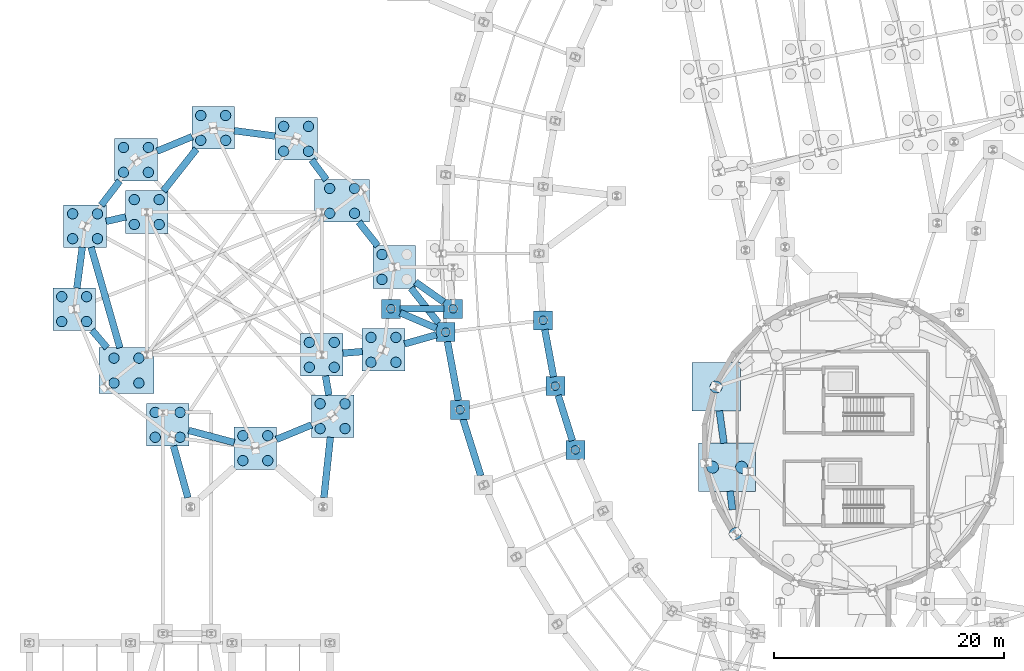
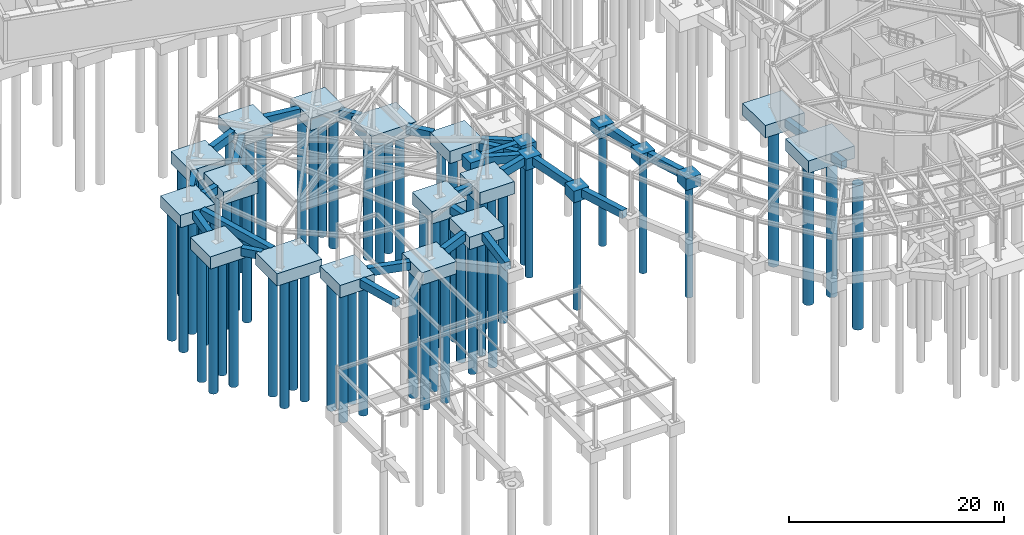
# One storey, part 2 of 50: 65 piles, 50 footings.
"""IFC4 building model written with IfcOpenShell, lengths in metres."""

from ifc_helpers import new_model, si_unit, direction, frame, origin, origin_2d, place, context, subcontext, project, spatial, rectangle, circle, extrude, material, material_profile, profile_set, type_object, element, save


model = new_model("IFC4")

# Units and contexts
model_context = context("Model", 3, precision=1e-05, world=origin(), true_north=direction((0.0, 1.0)))
body_context = subcontext(model_context, "Body", "Model", "MODEL_VIEW")
ifc_project = project(units=[si_unit("LENGTHUNIT", "METRE"), si_unit("AREAUNIT", "SQUARE_METRE"), si_unit("VOLUMEUNIT", "CUBIC_METRE"), si_unit("PLANEANGLEUNIT", "RADIAN"), si_unit("MASSUNIT", "GRAM", prefix="KILO")], contexts=[model_context])

# Site, building, storey
site_placement = place(None, origin())
site = spatial("IfcSite", under=ifc_project, at=site_placement, CompositionType="ELEMENT")
building_placement = place(site_placement, origin())
building = spatial("IfcBuilding", under=site, at=building_placement, Name="Varnklinge Art Gallery", CompositionType="ELEMENT")
storey_placement = place(building_placement, frame((0.0, 0.0, -4.800048828125)))
storey = spatial("IfcBuildingStorey", under=building, at=storey_placement, Name="B01", CompositionType="ELEMENT", Elevation=-4.800048828125)

# Footings
ifc_material_1 = material(Name="Concrete C35/45", Category="concrete")
footing_type_1 = type_object("IfcFootingType", Name="FB-08", PredefinedType="FOOTING_BEAM", material=ifc_material_1)
footing_1_placement = place(storey_placement, frame((33.430419921875, 56.698486328125, -0.89990234375), z_axis=(0.0, 0.0, 1.0), x_axis=(0.620463642292, -0.784235212544, 0.0)))
element("IfcFooting", 1, at=footing_1_placement, inside=storey, type_object=footing_type_1, Name="B01 Ground Tie Beam FBM-152", PredefinedType="FOOTING_BEAM", context=body_context, shape_type="SweptSolid", body=[
    extrude(rectangle(XDim=2.6484375, YDim=0.60009765625, at=origin_2d()), origin(), (0.0, 0.0, 1.0), 0.89990234375),
])
footing_2_placement = place(storey_placement, frame((11.055908203125, 60.243896484375, -0.89990234375), z_axis=(0.0, 0.0, 1.0), x_axis=(-0.608761429009, -0.793353340291, 0.0)))
element("IfcFooting", 2, at=footing_2_placement, inside=storey, type_object=footing_type_1, Name="B01 Ground Tie Beam FBM-159", PredefinedType="FOOTING_BEAM", context=body_context, shape_type="SweptSolid", body=[
    extrude(rectangle(XDim=2.644287109375, YDim=0.60009765625, at=origin_2d()), origin(), (0.0, 0.0, 1.0), 0.89990234375),
])
ifc_material_2 = material(Name="Concrete C35/45", Category="concrete")
footing_type_2 = type_object("IfcFootingType", Name="FB-09", PredefinedType="FOOTING_BEAM", material=ifc_material_2)
footing_3_placement = place(storey_placement, frame((37.779052734375, 49.18310546875, -0.89990234375), z_axis=(0.0, 0.0, 1.0), x_axis=(-0.9194787684, 0.393139662794, 0.0)))
element("IfcFooting", 3, at=footing_3_placement, inside=storey, type_object=footing_type_2, Name="B01 Ground Tie Beam FBM-118", PredefinedType="FOOTING_BEAM", context=body_context, shape_type="SweptSolid", body=[
    extrude(rectangle(XDim=3.423583984375, YDim=0.60009765625, at=origin_2d()), origin(), (0.0, 0.0, 1.0), 0.89990234375),
])
ifc_material_3 = material(Name="Concrete C35/45", Category="concrete")
footing_type_3 = type_object("IfcFootingType", Name="FB-12", PredefinedType="FOOTING_BEAM", material=ifc_material_3)
for number, where, z_axis, x_axis, name in (
    (4, (26.982421875, 39.488525390625, -0.89990234375), (0.0, 0.0, 1.0), (0.923879532511, 0.382683432365, 0.0), "B01 Ground Tie Beam FBM-100"),
    (5, (16.617431640625, 64.511474609375, -0.89990234375), (0.0, 0.0, 1.0), (0.923879532511, 0.382683432365, 0.0), "B01 Ground Tie Beam FBM-158"),
):
    element("IfcFooting", number, at=place(storey_placement, frame(where, z_axis=z_axis, x_axis=x_axis)), inside=storey, type_object=footing_type_3, Name=name, PredefinedType="FOOTING_BEAM", context=body_context, shape_type="SweptSolid", body=[
        extrude(rectangle(XDim=3.2958984375, YDim=0.60009765625, at=origin_2d()), origin(), (0.0, 0.0, 1.0), 0.89990234375),
    ])
ifc_material_4 = material(Name="Concrete C35/45", Category="concrete")
footing_type_4 = type_object("IfcFootingType", Name="FB-13", PredefinedType="FOOTING_BEAM", material=ifc_material_4)
footing_4_placement = place(storey_placement, frame((11.5234375, 57.982421875, -0.89990234375), z_axis=(0.0, 0.0, 1.0), x_axis=(0.97440931131, 0.224780991261, 0.0)))
element("IfcFooting", 6, at=footing_4_placement, inside=storey, type_object=footing_type_4, Name="B01 Ground Tie Beam FBM-140", PredefinedType="FOOTING_BEAM", context=body_context, shape_type="SweptSolid", body=[
    extrude(rectangle(XDim=1.737548828125, YDim=0.60009765625, at=origin_2d()), origin(), (0.0, 0.0, 1.0), 0.89990234375),
])
ifc_material_5 = material(Name="Concrete C35/45", Category="concrete")
footing_type_5 = type_object("IfcFootingType", Name="FB-14", PredefinedType="FOOTING_BEAM", material=ifc_material_5)
footing_5_placement = place(storey_placement, frame((50.5380859375, 40.716552734375, -0.89990234375), z_axis=(0.0, 0.0, 1.0), x_axis=(-0.299873410064, 0.953979002881, 0.0)))
element("IfcFooting", 7, at=footing_5_placement, inside=storey, type_object=footing_type_5, Name="B01 Ground Tie Beam FBM-098", PredefinedType="FOOTING_BEAM", context=body_context, shape_type="SweptSolid", body=[
    extrude(rectangle(XDim=4.122802734375, YDim=0.60009765625, at=origin_2d()), origin(), (0.0, 0.0, 1.0), 0.89990234375),
])
footing_6_placement = place(storey_placement, frame((49.139404296875, 46.344482421875, -0.89990234375), z_axis=(0.0, 0.0, 1.0), x_axis=(-0.181549039717, 0.983381892338, 0.0)))
element("IfcFooting", 8, at=footing_6_placement, inside=storey, type_object=footing_type_5, Name="B01 Ground Tie Beam FBM-112", PredefinedType="FOOTING_BEAM", context=body_context, shape_type="SweptSolid", body=[
    extrude(rectangle(XDim=4.17236328125, YDim=0.60009765625, at=origin_2d()), origin(), (0.0, 0.0, 1.0), 0.89990234375),
])
ifc_material_6 = material(Name="Concrete C35/45", Category="concrete")
footing_type_6 = type_object("IfcFootingType", Name="FB-15", PredefinedType="FOOTING_BEAM", material=ifc_material_6)
footing_7_placement = place(storey_placement, frame((64.10888671875, 39.930908203125, -1.199951171875), z_axis=(0.0, 0.0, 1.0), x_axis=(-0.136753006543, 0.990605176244, 0.0)))
element("IfcFooting", 9, at=footing_7_placement, inside=storey, type_object=footing_type_6, Name="B01 Ground Tie Beam FBM-096", PredefinedType="FOOTING_BEAM", context=body_context, shape_type="SweptSolid", body=[
    extrude(rectangle(XDim=2.838623046875, YDim=0.60009765625, at=origin_2d()), origin(), (0.0, 0.0, 1.0), 0.89990234375),
])
footing_8_placement = place(storey_placement, frame((37.968017578125, 47.545654296875, -0.89990234375), z_axis=(0.0, 0.0, 1.0), x_axis=(0.962122891174, 0.272616107888, 0.0)))
element("IfcFooting", 10, at=footing_8_placement, inside=storey, type_object=footing_type_6, Name="B01 Ground Tie Beam FBM-117", PredefinedType="FOOTING_BEAM", context=body_context, shape_type="SweptSolid", body=[
    extrude(rectangle(XDim=2.87890625, YDim=0.60009765625, at=origin_2d()), origin(), (0.0, 0.0, 1.0), 0.89990234375),
])
ifc_material_7 = material(Name="Concrete C35/45", Category="concrete")
footing_type_7 = type_object("IfcFootingType", Name="FB-19", PredefinedType="FOOTING_BEAM", material=ifc_material_7)
footing_9_placement = place(storey_placement, frame((38.10009765625, 50.199951171875, -0.89990234375), z_axis=(0.0, 0.0, 1.0), x_axis=(1.0, 0.0, 0.0)))
element("IfcFooting", 11, at=footing_9_placement, inside=storey, type_object=footing_type_7, Name="B01 Ground Tie Beam FBM-126", PredefinedType="FOOTING_BEAM", context=body_context, shape_type="SweptSolid", body=[
    extrude(rectangle(XDim=3.7900390625, YDim=0.60009765625, at=origin_2d()), origin(), (0.0, 0.0, 1.0), 0.89990234375),
])
footing_10_placement = place(storey_placement, frame((38.33203125, 50.486083984375, -0.89990234375), z_axis=(0.0, 0.0, 1.0), x_axis=(0.61854554384, -0.78574894858, 0.0)))
element("IfcFooting", 12, at=footing_10_placement, inside=storey, type_object=footing_type_7, Name="B01 Ground Tie Beam FBM-131", PredefinedType="FOOTING_BEAM", context=body_context, shape_type="SweptSolid", body=[
    extrude(rectangle(XDim=3.853515625, YDim=0.60009765625, at=origin_2d()), origin(), (0.0, 0.0, 1.0), 0.89990234375),
])
ifc_material_8 = material(Name="Concrete C35/45", Category="concrete")
footing_type_8 = type_object("IfcFootingType", Name="FB-20", PredefinedType="FOOTING_BEAM", material=ifc_material_8)
footing_11_placement = place(storey_placement, frame((10.105712890625, 47.576416015625, -0.89990234375), z_axis=(0.0, 0.0, 1.0), x_axis=(-0.647854034566, 0.761764497661, 0.0)))
element("IfcFooting", 13, at=footing_11_placement, inside=storey, type_object=footing_type_8, Name="B01 Ground Tie Beam FBM-110", PredefinedType="FOOTING_BEAM", context=body_context, shape_type="SweptSolid", body=[
    extrude(rectangle(XDim=2.004638671875, YDim=0.60009765625, at=origin_2d()), origin(), (0.0, 0.0, 1.0), 0.89990234375),
])
ifc_material_9 = material(Name="Concrete C35/45", Category="concrete")
footing_type_9 = type_object("IfcFootingType", Name="FB-22", PredefinedType="FOOTING_BEAM", material=ifc_material_9)
footing_12_placement = place(storey_placement, frame((42.427978515625, 38.16845703125, -0.89990234375), z_axis=(0.0, 0.0, 1.0), x_axis=(-0.299706904751, 0.954031326134, 0.0)))
element("IfcFooting", 14, at=footing_12_placement, inside=storey, type_object=footing_type_9, Name="B01 Ground Tie Beam FBM-091", PredefinedType="FOOTING_BEAM", context=body_context, shape_type="SweptSolid", body=[
    extrude(rectangle(XDim=5.158203125, YDim=0.60009765625, at=origin_2d()), origin(), (0.0, 0.0, 1.0), 0.89990234375),
])
footing_13_placement = place(storey_placement, frame((40.780029296875, 44.800048828125, -0.89990234375), z_axis=(0.0, 0.0, 1.0), x_axis=(-0.18172066947, 0.983350191075, 0.0)))
element("IfcFooting", 15, at=footing_13_placement, inside=storey, type_object=footing_type_9, Name="B01 Ground Tie Beam FBM-106", PredefinedType="FOOTING_BEAM", context=body_context, shape_type="SweptSolid", body=[
    extrude(rectangle(XDim=5.208740234375, YDim=0.60009765625, at=origin_2d()), origin(), (0.0, 0.0, 1.0), 0.89990234375),
])
footing_14_placement = place(storey_placement, frame((29.86328125, 36.426025390625, -0.89990234375), z_axis=(0.0, 0.0, 1.0), x_axis=(0.105396307434, 0.994430298402, 0.0)))
element("IfcFooting", 16, at=footing_14_placement, inside=storey, type_object=footing_type_9, Name="B01 Ground Tie Beam FBM-265", PredefinedType="FOOTING_BEAM", context=body_context, shape_type="SweptSolid", body=[
    extrude(rectangle(XDim=5.271484375, YDim=0.60009765625, at=origin_2d()), origin(), (0.0, 0.0, 1.0), 0.89990234375),
])
ifc_material_10 = material(Name="Concrete C35/45", Category="concrete")
footing_type_10 = type_object("IfcFootingType", Name="FB-24", PredefinedType="FOOTING_BEAM", material=ifc_material_10)
footing_15_placement = place(storey_placement, frame((64.947509765625, 33.56103515625, -1.199951171875), z_axis=(0.0, 0.0, 1.0), x_axis=(-0.123081876034, 0.992396519438, 0.0)))
element("IfcFooting", 17, at=footing_15_placement, inside=storey, type_object=footing_type_10, Name="B01 Ground Tie Beam FBM-082", PredefinedType="FOOTING_BEAM", context=body_context, shape_type="SweptSolid", body=[
    extrude(rectangle(XDim=1.620361328125, YDim=0.60009765625, at=origin_2d()), origin(), (0.0, 0.0, 1.0), 0.89990234375),
])
footing_16_placement = place(storey_placement, frame((29.867431640625, 43.53857421875, -0.89990234375), z_axis=(0.0, 0.0, 1.0), x_axis=(-0.172960609894, 0.984928742308, 0.0)))
element("IfcFooting", 18, at=footing_16_placement, inside=storey, type_object=footing_type_10, Name="B01 Ground Tie Beam FBM-105", PredefinedType="FOOTING_BEAM", context=body_context, shape_type="SweptSolid", body=[
    extrude(rectangle(XDim=1.6884765625, YDim=0.60009765625, at=origin_2d()), origin(), (0.0, 0.0, 1.0), 0.89990234375),
])
footing_17_placement = place(storey_placement, frame((32.076416015625, 46.41748046875, -0.89990234375), z_axis=(0.0, 0.0, 1.0), x_axis=(0.996708512156, 0.081068747348, 0.0)))
element("IfcFooting", 19, at=footing_17_placement, inside=storey, type_object=footing_type_10, Name="B01 Ground Tie Beam FBM-115", PredefinedType="FOOTING_BEAM", context=body_context, shape_type="SweptSolid", body=[
    extrude(rectangle(XDim=1.698486328125, YDim=0.60009765625, at=origin_2d()), origin(), (0.0, 0.0, 1.0), 0.89990234375),
])
ifc_material_11 = material(Name="Concrete C35/45", Category="concrete")
footing_type_11 = type_object("IfcFootingType", Name="FB-29", PredefinedType="FOOTING_BEAM", material=ifc_material_11)
for number, where, z_axis, x_axis, name in (
    (20, (8.37353515625, 53.767578125, -0.89990234375), (0.0, 0.0, 1.0), (0.13052619222, 0.991444861374, 0.0), "B01 Ground Tie Beam FBM-125"),
    (21, (23.5673828125, 65.426513671875, -0.89990234375), (0.0, 0.0, 1.0), (-0.991444861374, 0.13052619222, 0.0), "B01 Ground Tie Beam FBM-164"),
):
    element("IfcFooting", number, at=place(storey_placement, frame(where, z_axis=z_axis, x_axis=x_axis)), inside=storey, type_object=footing_type_11, Name=name, PredefinedType="FOOTING_BEAM", context=body_context, shape_type="SweptSolid", body=[
        extrude(rectangle(XDim=3.5654296875, YDim=0.60009765625, at=origin_2d()), origin(), (0.0, 0.0, 1.0), 0.89990234375),
    ])
ifc_material_12 = material(Name="Concrete C35/45", Category="concrete")
footing_type_12 = type_object("IfcFootingType", Name="FB-31", PredefinedType="FOOTING_BEAM", material=ifc_material_12)
footing_18_placement = place(storey_placement, frame((19.823486328125, 39.112060546875, -0.89990234375), z_axis=(0.0, 0.0, 1.0), x_axis=(0.966420942741, -0.256964124795, 0.0)))
element("IfcFooting", 22, at=footing_18_placement, inside=storey, type_object=footing_type_12, Name="B01 Ground Tie Beam FBM-103", PredefinedType="FOOTING_BEAM", context=body_context, shape_type="SweptSolid", body=[
    extrude(rectangle(XDim=4.09033203125, YDim=0.60009765625, at=origin_2d()), origin(), (0.0, 0.0, 1.0), 0.89990234375),
])
ifc_material_13 = material(Name="Concrete C35/45", Category="concrete")
footing_type_13 = type_object("IfcFootingType", Name="FB-32", PredefinedType="FOOTING_BEAM", material=ifc_material_13)
footing_19_placement = place(storey_placement, frame((29.1630859375, 62.260009765625, -0.89990234375), z_axis=(0.0, 0.0, 1.0), x_axis=(-0.595804439009, 0.803129547743, 0.0)))
element("IfcFooting", 23, at=footing_19_placement, inside=storey, type_object=footing_type_13, Name="B01 Ground Tie Beam FBM-151", PredefinedType="FOOTING_BEAM", context=body_context, shape_type="SweptSolid", body=[
    extrude(rectangle(XDim=2.149169921875, YDim=0.60009765625, at=origin_2d()), origin(), (0.0, 0.0, 1.0), 0.89990234375),
])
ifc_material_14 = material(Name="Concrete C35/45", Category="concrete")
footing_type_14 = type_object("IfcFootingType", Name="FB-33", PredefinedType="FOOTING_BEAM", material=ifc_material_14)
footing_20_placement = place(storey_placement, frame((38.762451171875, 51.650146484375, -0.89990234375), z_axis=(0.0, 0.0, 1.0), x_axis=(0.81472318257, -0.579850097684, 0.0)))
element("IfcFooting", 24, at=footing_20_placement, inside=storey, type_object=footing_type_14, Name="B01 Ground Tie Beam FBM-130", PredefinedType="FOOTING_BEAM", context=body_context, shape_type="SweptSolid", body=[
    extrude(rectangle(XDim=3.025634765625, YDim=0.60009765625, at=origin_2d()), origin(), (0.0, 0.0, 1.0), 0.89990234375),
])
ifc_material_15 = material(Name="Concrete C35/45", Category="concrete")
footing_type_15 = type_object("IfcFootingType", Name="FB-38", PredefinedType="FOOTING_BEAM", material=ifc_material_15)
footing_21_placement = place(storey_placement, frame((17.151123046875, 36.049560546875, -0.89990234375), z_axis=(0.0, 0.0, 1.0), x_axis=(0.268079200424, -0.963396876837, 0.0)))
element("IfcFooting", 25, at=footing_21_placement, inside=storey, type_object=footing_type_15, Name="B01 Ground Tie Beam FBM-102", PredefinedType="FOOTING_BEAM", context=body_context, shape_type="SweptSolid", body=[
    extrude(rectangle(XDim=4.65966796875, YDim=0.60009765625, at=origin_2d()), origin(), (0.0, 0.0, 1.0), 0.89990234375),
])
footing_22_placement = place(storey_placement, frame((17.0849609375, 62.25, -0.89990234375), z_axis=(0.0, 0.0, 1.0), x_axis=(0.620052932662, 0.784559979031, 0.0)))
element("IfcFooting", 26, at=footing_22_placement, inside=storey, type_object=footing_type_15, Name="B01 Ground Tie Beam FBM-150", PredefinedType="FOOTING_BEAM", context=body_context, shape_type="SweptSolid", body=[
    extrude(rectangle(XDim=4.639892578125, YDim=0.60009765625, at=origin_2d()), origin(), (0.0, 0.0, 1.0), 0.89990234375),
])
ifc_material_16 = material(Name="Concrete C35/45", Category="concrete")
footing_type_16 = type_object("IfcFootingType", Name="FB-39", PredefinedType="FOOTING_BEAM", material=ifc_material_16)
footing_23_placement = place(storey_placement, frame((10.62158203125, 51.174072265625, -0.89990234375), z_axis=(0.0, 0.0, 1.0), x_axis=(-0.275469579804, 0.961309789091, 0.0)))
element("IfcFooting", 27, at=footing_23_placement, inside=storey, type_object=footing_type_16, Name="B01 Ground Tie Beam FBM-111", PredefinedType="FOOTING_BEAM", context=body_context, shape_type="SweptSolid", body=[
    extrude(rectangle(XDim=9.0732421875, YDim=0.60009765625, at=origin_2d()), origin(), (0.0, 0.0, 1.0), 0.89990234375),
])
ifc_material_17 = material(Name="Concrete C35/45", Category="concrete")
footing_type_17 = type_object("IfcFootingType", Name="PC-01", PredefinedType="PILE_CAP", material=ifc_material_17)
for number, where, z_axis, x_axis, name in (
    (28, (51.408935546875, 37.945068359375, -1.2998046875), (0.0, 0.0, 1.0), (1.0, 0.0, 0.0), "B01 Pile Cap FCAP-073"),
    (29, (41.402099609375, 41.43408203125, -1.2998046875), (0.0, 0.0, 1.0), (1.0, 0.0, 0.0), "B01 Pile Cap FCAP-080"),
    (30, (49.6669921875, 43.488037109375, -1.2998046875), (0.0, 0.0, 1.0), (1.0, 0.0, 0.0), "B01 Pile Cap FCAP-085"),
):
    element("IfcFooting", number, at=place(storey_placement, frame(where, z_axis=z_axis, x_axis=x_axis)), inside=storey, type_object=footing_type_17, Name=name, PredefinedType="PILE_CAP", context=body_context, shape_type="SweptSolid", body=[
        extrude(rectangle(XDim=1.64990234375, YDim=1.64990234375, at=origin_2d()), origin(), (0.0, 0.0, 1.0), 1.300048828125),
    ])
footing_24_placement = place(storey_placement, frame((40.157958984375, 48.166015625, -1.2998046875), z_axis=(0.0, 0.0, 1.0), x_axis=(1.0, 0.0, 0.0)))
element("IfcFooting", 31, at=footing_24_placement, inside=storey, type_object=footing_type_17, Name="B01 Pile Cap FCAP-091", PredefinedType="PILE_CAP", context=body_context, shape_type="SweptSolid", body=[
    extrude(rectangle(XDim=1.64990234375, YDim=1.65087890625, at=origin_2d()), origin(), (0.0, 0.0, 1.0), 1.300048828125),
])
for number, where, z_axis, x_axis, name in (
    (32, (48.612060546875, 49.200927734375, -1.2998046875), (0.0, 0.0, 1.0), (1.0, 0.0, 0.0), "B01 Pile Cap FCAP-094"),
    (33, (35.39990234375, 50.199951171875, -1.2998046875), (0.0, 0.0, 1.0), (1.0, 0.0, 0.0), "B01 Pile Cap FCAP-098"),
    (34, (40.800048828125, 50.199951171875, -1.2998046875), (0.0, 0.0, 1.0), (1.0, 0.0, 0.0), "B01 Pile Cap FCAP-099"),
):
    element("IfcFooting", number, at=place(storey_placement, frame(where, z_axis=z_axis, x_axis=x_axis)), inside=storey, type_object=footing_type_17, Name=name, PredefinedType="PILE_CAP", context=body_context, shape_type="SweptSolid", body=[
        extrude(rectangle(XDim=1.64990234375, YDim=1.64990234375, at=origin_2d()), origin(), (0.0, 0.0, 1.0), 1.300048828125),
    ])
ifc_material_18 = material(Name="Concrete C35/45", Category="concrete")
footing_type_18 = type_object("IfcFootingType", Name="PC-02", PredefinedType="PILE_CAP", material=ifc_material_18)
for number, where, z_axis, x_axis, name in (
    (35, (23.6298828125, 38.10009765625, -1.39990234375), (0.0, 0.0, 1.0), (1.0, 0.0, 0.0), "B01 Pile Cap FCAP-075"),
    (36, (16.01708984375, 40.1240234375, -1.39990234375), (0.0, 0.0, 1.0), (1.0, 0.0, 0.0), "B01 Pile Cap FCAP-077"),
    (37, (30.3349609375, 40.876953125, -1.39990234375), (0.0, 0.0, 1.0), (1.0, 0.0, 0.0), "B01 Pile Cap FCAP-079"),
    (38, (29.39990234375, 46.199951171875, -1.39990234375), (0.0, 0.0, 1.0), (1.0, 0.0, 0.0), "B01 Pile Cap FCAP-088"),
    (39, (34.7529296875, 46.635009765625, -1.39990234375), (0.0, 0.0, 1.0), (1.0, 0.0, 0.0), "B01 Pile Cap FCAP-090"),
    (40, (7.89990234375, 50.169921875, -1.39990234375), (0.0, 0.0, 1.0), (1.0, 0.0, 0.0), "B01 Pile Cap FCAP-097"),
    (41, (35.699951171875, 53.830078125, -1.39990234375), (0.0, 0.0, 1.0), (1.0, 0.0, 0.0), "B01 Pile Cap FCAP-102"),
    (42, (8.846923828125, 57.364990234375, -1.39990234375), (0.0, 0.0, 1.0), (1.0, 0.0, 0.0), "B01 Pile Cap FCAP-110"),
    (43, (14.199951171875, 58.60009765625, -1.39990234375), (0.0, 0.0, 1.0), (1.0, 0.0, 0.0), "B01 Pile Cap FCAP-116"),
    (44, (13.264892578125, 63.123046875, -1.39990234375), (0.0, 0.0, 1.0), (1.0, 0.0, 0.0), "B01 Pile Cap FCAP-124"),
    (45, (27.1650390625, 64.952880859375, -1.39990234375), (0.0, 0.0, 1.0), (1.0, 0.0, 0.0), "B01 Pile Cap FCAP-128"),
    (46, (19.969970703125, 65.89990234375, -1.39990234375), (0.0, 0.0, 1.0), (1.0, 0.0, 0.0), "B01 Pile Cap FCAP-130"),
):
    element("IfcFooting", number, at=place(storey_placement, frame(where, z_axis=z_axis, x_axis=x_axis)), inside=storey, type_object=footing_type_18, Name=name, PredefinedType="PILE_CAP", context=body_context, shape_type="SweptSolid", body=[
        extrude(rectangle(XDim=3.699951171875, YDim=3.699951171875, at=origin_2d()), origin(), (0.0, 0.0, 1.0), 1.39990234375),
    ])
ifc_material_19 = material(Name="Concrete C35/45", Category="concrete")
footing_type_19 = type_object("IfcFootingType", Name="PC-05", PredefinedType="PILE_CAP", material=ifc_material_19)
footing_25_placement = place(storey_placement, frame((63.6279296875, 43.4169921875, -1.699951171875), z_axis=(0.0, 0.0, 1.0), x_axis=(1.0, 0.0, 0.0)))
element("IfcFooting", 47, at=footing_25_placement, inside=storey, type_object=footing_type_19, Name="B01 Pile Cap FCAP-083", PredefinedType="PILE_CAP", context=body_context, shape_type="SweptSolid", body=[
    extrude(rectangle(XDim=4.199951171875, YDim=4.199951171875, at=origin_2d()), origin(), (0.0, 0.0, 1.0), 1.39990234375),
])
ifc_material_20 = material(Name="Concrete C35/45", Category="concrete")
footing_type_20 = type_object("IfcFootingType", Name="PC-09", PredefinedType="PILE_CAP", material=ifc_material_20)
footing_26_placement = place(storey_placement, frame((64.590087890625, 36.445068359375, -1.699951171875), z_axis=(0.0, 0.0, 1.0), x_axis=(1.0, 0.0, 0.0)))
element("IfcFooting", 48, at=footing_26_placement, inside=storey, type_object=footing_type_20, Name="B01 Pile Cap FCAP-071", PredefinedType="PILE_CAP", context=body_context, shape_type="SweptSolid", body=[
    extrude(rectangle(XDim=4.949951171875, YDim=4.199951171875, at=origin_2d()), origin(), (0.0, 0.0, 1.0), 1.39990234375),
])
ifc_material_21 = material(Name="Concrete C35/45", Category="concrete")
footing_type_21 = type_object("IfcFootingType", Name="PC-10", PredefinedType="PILE_CAP", material=ifc_material_21)
footing_27_placement = place(storey_placement, frame((12.43896484375, 44.8330078125, -1.39990234375), z_axis=(0.0, 0.0, 1.0), x_axis=(1.0, 0.0, 0.0)))
element("IfcFooting", 49, at=footing_27_placement, inside=storey, type_object=footing_type_21, Name="B01 Pile Cap FCAP-084", PredefinedType="PILE_CAP", context=body_context, shape_type="SweptSolid", body=[
    extrude(rectangle(XDim=4.800048828125, YDim=4.0, at=origin_2d()), origin(), (0.0, 0.0, 1.0), 1.39990234375),
])
ifc_material_22 = material(Name="Concrete C35/45", Category="concrete")
footing_type_22 = type_object("IfcFootingType", Name="PC-13", PredefinedType="PILE_CAP", material=ifc_material_22)
footing_28_placement = place(storey_placement, frame((31.160888671875, 59.56689453125, -1.39990234375), z_axis=(0.0, 0.0, 1.0), x_axis=(1.0, 0.0, 0.0)))
element("IfcFooting", 50, at=footing_28_placement, inside=storey, type_object=footing_type_22, Name="B01 Pile Cap FCAP-117", PredefinedType="PILE_CAP", context=body_context, shape_type="SweptSolid", body=[
    extrude(rectangle(XDim=4.800048828125, YDim=3.699951171875, at=origin_2d()), origin(), (0.0, 0.0, 1.0), 1.39990234375),
])

# Piles
ifc_material_23 = material(Name="Concrete C35/45", Category="concrete")
ifc_material_profile_1 = material_profile(ifc_material_23, circle(Radius=0.52490234375, at=origin_2d()), Name="PILE D1050")
ifc_profile_set_1 = profile_set([ifc_material_profile_1], Name="Concrete C35/45")
pile_type_1 = type_object("IfcPileType", Name="PIL-D1050", PredefinedType="BORED", material=ifc_profile_set_1)
for number, where, z_axis, x_axis, name in (
    (51, (65.304931640625, 30.677001953125, -1.599853515625), (0.0, 0.0, -1.0), (1.0, 0.0, 0.0), "B01 Bored Pile PILE-D1050-085"),
    (52, (63.330078125, 36.445068359375, -1.599853515625), (0.0, 0.0, -1.0), (1.0, 0.0, 0.0), "B01 Bored Pile PILE-D1050-098"),
    (53, (65.85009765625, 36.445068359375, -1.599853515625), (0.0, 0.0, -1.0), (1.0, 0.0, 0.0), "B01 Bored Pile PILE-D1050-099"),
    (54, (63.6279296875, 43.4169921875, -1.599853515625), (0.0, 0.0, -1.0), (1.0, 0.0, 0.0), "B01 Bored Pile PILE-D1050-125"),
):
    element("IfcPile", number, at=place(storey_placement, frame(where, z_axis=z_axis, x_axis=x_axis)), inside=storey, type_object=pile_type_1, Name=name, PredefinedType="BORED", context=body_context, shape_type="SweptSolid", body=[
        extrude(circle(Radius=0.52490234375, at=origin_2d()), origin(), (0.0, 0.0, 1.0), 16.39990234375),
    ])
ifc_material_24 = material(Name="Concrete C35/45", Category="concrete")
ifc_material_profile_2 = material_profile(ifc_material_24, circle(Radius=0.375, at=origin_2d()), Name="PILE D750")
ifc_profile_set_2 = profile_set([ifc_material_profile_2], Name="Concrete C35/45")
pile_type_2 = type_object("IfcPileType", Name="PIL-D750", PredefinedType="BORED", material=ifc_profile_set_2)
for number, where, z_axis, x_axis, name in (
    (55, (51.408935546875, 37.945068359375, -1.199951171875), (0.0, 0.0, -1.0), (1.0, 0.0, 0.0), "B01 Bored Pile PILE-D750-102"),
    (56, (41.402099609375, 41.43408203125, -1.199951171875), (0.0, 0.0, -1.0), (1.0, 0.0, 0.0), "B01 Bored Pile PILE-D750-119"),
    (57, (49.6669921875, 43.488037109375, -1.199951171875), (0.0, 0.0, -1.0), (1.0, 0.0, 0.0), "B01 Bored Pile PILE-D750-130"),
    (58, (40.157958984375, 48.166015625, -1.199951171875), (0.0, 0.0, -1.0), (1.0, 0.0, 0.0), "B01 Bored Pile PILE-D750-143"),
    (59, (48.612060546875, 49.200927734375, -1.199951171875), (0.0, 0.0, -1.0), (1.0, 0.0, 0.0), "B01 Bored Pile PILE-D750-147"),
    (60, (35.39990234375, 50.199951171875, -1.199951171875), (0.0, 0.0, -1.0), (1.0, 0.0, 0.0), "B01 Bored Pile PILE-D750-154"),
    (61, (40.800048828125, 50.199951171875, -1.199951171875), (0.0, 0.0, -1.0), (1.0, 0.0, 0.0), "B01 Bored Pile PILE-D750-155"),
):
    element("IfcPile", number, at=place(storey_placement, frame(where, z_axis=z_axis, x_axis=x_axis)), inside=storey, type_object=pile_type_2, Name=name, PredefinedType="BORED", context=body_context, shape_type="SweptSolid", body=[
        extrude(circle(Radius=0.375, at=origin_2d()), origin(), (0.0, 0.0, 1.0), 12.800048828125),
    ])
ifc_material_25 = material(Name="Concrete C35/45", Category="concrete")
ifc_material_profile_3 = material_profile(ifc_material_25, circle(Radius=0.449951171875, at=origin_2d()), Name="PILE D900")
ifc_profile_set_3 = profile_set([ifc_material_profile_3], Name="Concrete C35/45")
pile_type_3 = type_object("IfcPileType", Name="PIL-D900", PredefinedType="BORED", material=ifc_profile_set_3)
for number, where, z_axis, x_axis, name in (
    (62, (22.550048828125, 37.02001953125, -1.300048828125), (0.0, 0.0, -1.0), (1.0, 0.0, 0.0), "B01 Bored Pile PILE-D900-104"),
    (63, (22.550048828125, 39.179931640625, -1.300048828125), (0.0, 0.0, -1.0), (1.0, 0.0, 0.0), "B01 Bored Pile PILE-D900-105"),
    (64, (24.7099609375, 37.02001953125, -1.300048828125), (0.0, 0.0, -1.0), (1.0, 0.0, 0.0), "B01 Bored Pile PILE-D900-106"),
    (65, (24.7099609375, 39.179931640625, -1.300048828125), (0.0, 0.0, -1.0), (1.0, 0.0, 0.0), "B01 Bored Pile PILE-D900-107"),
    (66, (14.93701171875, 39.0439453125, -1.300048828125), (0.0, 0.0, -1.0), (1.0, 0.0, 0.0), "B01 Bored Pile PILE-D900-109"),
    (67, (14.93701171875, 41.2041015625, -1.300048828125), (0.0, 0.0, -1.0), (1.0, 0.0, 0.0), "B01 Bored Pile PILE-D900-110"),
    (68, (17.096923828125, 39.0439453125, -1.300048828125), (0.0, 0.0, -1.0), (1.0, 0.0, 0.0), "B01 Bored Pile PILE-D900-111"),
    (69, (17.096923828125, 41.2041015625, -1.300048828125), (0.0, 0.0, -1.0), (1.0, 0.0, 0.0), "B01 Bored Pile PILE-D900-112"),
    (70, (29.2548828125, 39.797119140625, -1.300048828125), (0.0, 0.0, -1.0), (1.0, 0.0, 0.0), "B01 Bored Pile PILE-D900-115"),
    (71, (29.2548828125, 41.95703125, -1.300048828125), (0.0, 0.0, -1.0), (1.0, 0.0, 0.0), "B01 Bored Pile PILE-D900-116"),
    (72, (31.4150390625, 39.797119140625, -1.300048828125), (0.0, 0.0, -1.0), (1.0, 0.0, 0.0), "B01 Bored Pile PILE-D900-117"),
    (73, (31.4150390625, 41.95703125, -1.300048828125), (0.0, 0.0, -1.0), (1.0, 0.0, 0.0), "B01 Bored Pile PILE-D900-118"),
    (74, (11.35888671875, 43.7529296875, -1.300048828125), (0.0, 0.0, -1.0), (1.0, 0.0, 0.0), "B01 Bored Pile PILE-D900-126"),
    (75, (11.35888671875, 45.9130859375, -1.300048828125), (0.0, 0.0, -1.0), (1.0, 0.0, 0.0), "B01 Bored Pile PILE-D900-127"),
    (76, (13.51904296875, 43.7529296875, -1.300048828125), (0.0, 0.0, -1.0), (1.0, 0.0, 0.0), "B01 Bored Pile PILE-D900-128"),
    (77, (13.51904296875, 45.9130859375, -1.300048828125), (0.0, 0.0, -1.0), (1.0, 0.0, 0.0), "B01 Bored Pile PILE-D900-129"),
    (78, (28.320068359375, 45.1201171875, -1.300048828125), (0.0, 0.0, -1.0), (1.0, 0.0, 0.0), "B01 Bored Pile PILE-D900-134"),
    (79, (28.320068359375, 47.280029296875, -1.300048828125), (0.0, 0.0, -1.0), (1.0, 0.0, 0.0), "B01 Bored Pile PILE-D900-135"),
    (80, (30.47998046875, 45.1201171875, -1.300048828125), (0.0, 0.0, -1.0), (1.0, 0.0, 0.0), "B01 Bored Pile PILE-D900-136"),
    (81, (30.47998046875, 47.280029296875, -1.300048828125), (0.0, 0.0, -1.0), (1.0, 0.0, 0.0), "B01 Bored Pile PILE-D900-137"),
    (82, (33.673095703125, 45.554931640625, -1.300048828125), (0.0, 0.0, -1.0), (1.0, 0.0, 0.0), "B01 Bored Pile PILE-D900-139"),
    (83, (33.673095703125, 47.715087890625, -1.300048828125), (0.0, 0.0, -1.0), (1.0, 0.0, 0.0), "B01 Bored Pile PILE-D900-140"),
    (84, (35.8330078125, 45.554931640625, -1.300048828125), (0.0, 0.0, -1.0), (1.0, 0.0, 0.0), "B01 Bored Pile PILE-D900-141"),
    (85, (35.8330078125, 47.715087890625, -1.300048828125), (0.0, 0.0, -1.0), (1.0, 0.0, 0.0), "B01 Bored Pile PILE-D900-142"),
    (86, (6.820068359375, 49.090087890625, -1.300048828125), (0.0, 0.0, -1.0), (1.0, 0.0, 0.0), "B01 Bored Pile PILE-D900-150"),
    (87, (6.820068359375, 51.25, -1.300048828125), (0.0, 0.0, -1.0), (1.0, 0.0, 0.0), "B01 Bored Pile PILE-D900-151"),
    (88, (8.97998046875, 49.090087890625, -1.300048828125), (0.0, 0.0, -1.0), (1.0, 0.0, 0.0), "B01 Bored Pile PILE-D900-152"),
    (89, (8.97998046875, 51.25, -1.300048828125), (0.0, 0.0, -1.0), (1.0, 0.0, 0.0), "B01 Bored Pile PILE-D900-153"),
    (90, (34.6201171875, 52.75, -1.300048828125), (0.0, 0.0, -1.0), (1.0, 0.0, 0.0), "B01 Bored Pile PILE-D900-158"),
    (91, (34.6201171875, 54.909912109375, -1.300048828125), (0.0, 0.0, -1.0), (1.0, 0.0, 0.0), "B01 Bored Pile PILE-D900-159"),
    (92, (7.76708984375, 56.284912109375, -1.300048828125), (0.0, 0.0, -1.0), (1.0, 0.0, 0.0), "B01 Bored Pile PILE-D900-172"),
    (93, (7.76708984375, 58.445068359375, -1.300048828125), (0.0, 0.0, -1.0), (1.0, 0.0, 0.0), "B01 Bored Pile PILE-D900-173"),
    (94, (9.927001953125, 56.284912109375, -1.300048828125), (0.0, 0.0, -1.0), (1.0, 0.0, 0.0), "B01 Bored Pile PILE-D900-174"),
    (95, (9.927001953125, 58.445068359375, -1.300048828125), (0.0, 0.0, -1.0), (1.0, 0.0, 0.0), "B01 Bored Pile PILE-D900-175"),
    (96, (13.1201171875, 57.52001953125, -1.300048828125), (0.0, 0.0, -1.0), (1.0, 0.0, 0.0), "B01 Bored Pile PILE-D900-187"),
    (97, (13.1201171875, 59.679931640625, -1.300048828125), (0.0, 0.0, -1.0), (1.0, 0.0, 0.0), "B01 Bored Pile PILE-D900-188"),
    (98, (15.280029296875, 57.52001953125, -1.300048828125), (0.0, 0.0, -1.0), (1.0, 0.0, 0.0), "B01 Bored Pile PILE-D900-189"),
    (99, (15.280029296875, 59.679931640625, -1.300048828125), (0.0, 0.0, -1.0), (1.0, 0.0, 0.0), "B01 Bored Pile PILE-D900-190"),
    (100, (30.0810546875, 58.487060546875, -1.300048828125), (0.0, 0.0, -1.0), (1.0, 0.0, 0.0), "B01 Bored Pile PILE-D900-191"),
    (101, (30.0810546875, 60.64697265625, -1.300048828125), (0.0, 0.0, -1.0), (1.0, 0.0, 0.0), "B01 Bored Pile PILE-D900-192"),
    (102, (32.240966796875, 58.487060546875, -1.300048828125), (0.0, 0.0, -1.0), (1.0, 0.0, 0.0), "B01 Bored Pile PILE-D900-193"),
    (103, (32.240966796875, 60.64697265625, -1.300048828125), (0.0, 0.0, -1.0), (1.0, 0.0, 0.0), "B01 Bored Pile PILE-D900-194"),
    (104, (12.18505859375, 62.04296875, -1.300048828125), (0.0, 0.0, -1.0), (1.0, 0.0, 0.0), "B01 Bored Pile PILE-D900-204"),
    (105, (12.18505859375, 64.202880859375, -1.300048828125), (0.0, 0.0, -1.0), (1.0, 0.0, 0.0), "B01 Bored Pile PILE-D900-205"),
    (106, (14.344970703125, 62.04296875, -1.300048828125), (0.0, 0.0, -1.0), (1.0, 0.0, 0.0), "B01 Bored Pile PILE-D900-206"),
    (107, (14.344970703125, 64.202880859375, -1.300048828125), (0.0, 0.0, -1.0), (1.0, 0.0, 0.0), "B01 Bored Pile PILE-D900-207"),
    (108, (26.0849609375, 63.873046875, -1.300048828125), (0.0, 0.0, -1.0), (1.0, 0.0, 0.0), "B01 Bored Pile PILE-D900-214"),
    (109, (26.0849609375, 66.032958984375, -1.300048828125), (0.0, 0.0, -1.0), (1.0, 0.0, 0.0), "B01 Bored Pile PILE-D900-215"),
    (110, (28.2451171875, 63.873046875, -1.300048828125), (0.0, 0.0, -1.0), (1.0, 0.0, 0.0), "B01 Bored Pile PILE-D900-216"),
    (111, (28.2451171875, 66.032958984375, -1.300048828125), (0.0, 0.0, -1.0), (1.0, 0.0, 0.0), "B01 Bored Pile PILE-D900-217"),
    (112, (18.889892578125, 64.820068359375, -1.300048828125), (0.0, 0.0, -1.0), (1.0, 0.0, 0.0), "B01 Bored Pile PILE-D900-222"),
    (113, (18.889892578125, 66.97998046875, -1.300048828125), (0.0, 0.0, -1.0), (1.0, 0.0, 0.0), "B01 Bored Pile PILE-D900-223"),
    (114, (21.050048828125, 64.820068359375, -1.300048828125), (0.0, 0.0, -1.0), (1.0, 0.0, 0.0), "B01 Bored Pile PILE-D900-224"),
    (115, (21.050048828125, 66.97998046875, -1.300048828125), (0.0, 0.0, -1.0), (1.0, 0.0, 0.0), "B01 Bored Pile PILE-D900-225"),
):
    element("IfcPile", number, at=place(storey_placement, frame(where, z_axis=z_axis, x_axis=x_axis)), inside=storey, type_object=pile_type_3, Name=name, PredefinedType="BORED", context=body_context, shape_type="SweptSolid", body=[
        extrude(circle(Radius=0.449951171875, at=origin_2d()), origin(), (0.0, 0.0, 1.0), 14.699951171875),
    ])

save(model, "model.ifc")
